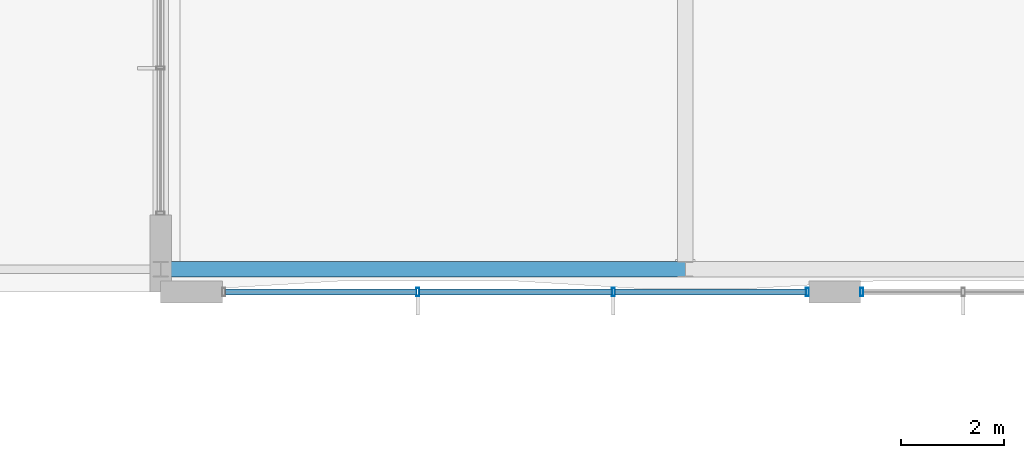
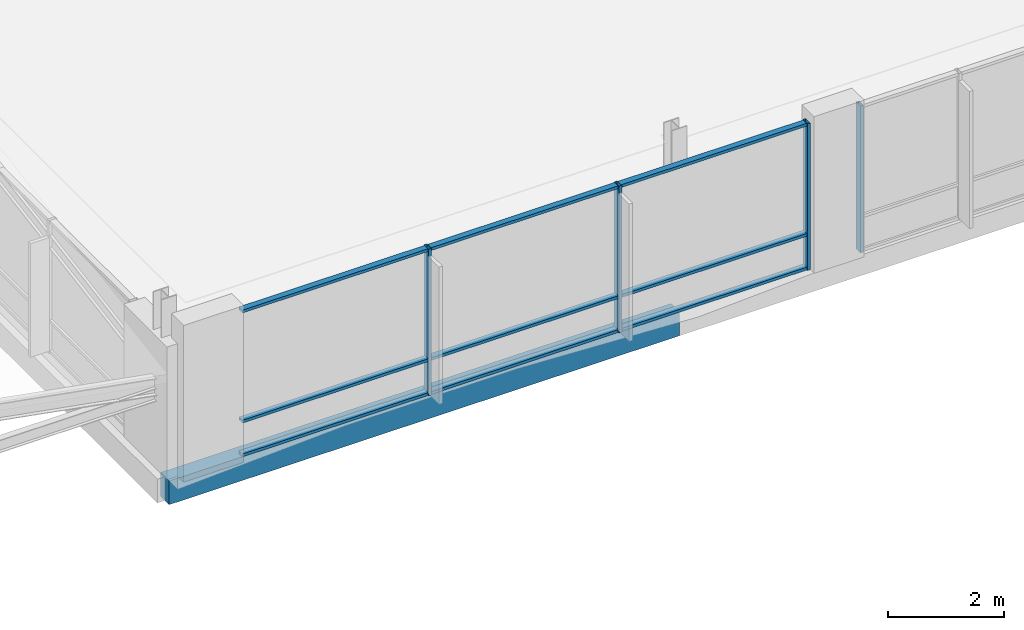
# One storey, part 52 of 189: 13 members, 1 beam, 2 elements without a shape of their own.
"""IFC4 building model written with IfcOpenShell, lengths in metres."""

import ifcopenshell
import ifcopenshell.guid

model = None  # the IFC model being written
_history = None  # IfcOwnerHistory: only IFC2X3 demands one
_inside = {}  # id of a spatial element -> (the spatial element, [elements in it])
_under = {}  # id of a project, library or spatial element -> (it, [spatial elements below it])
_declared = {}  # id of a project -> (the project, [libraries it declares])
_typed = {}  # id of a type object -> (the type object, [elements of that type])
_made_of = {}  # id of a material, layer set ... -> (it, [elements and type objects made of it])


def new_model(schema):
    """Start an empty IFC model of exactly this schema.

    Asked for "IFC4X3", IfcOpenShell would pick the latest addendum, in which some entities
    have other attributes; the version numbers below select the first issue.
    IFC2X3 requires an IfcOwnerHistory on every rooted entity: one is made here for all.
    """
    global model, _history
    if schema == "IFC4X3":
        model = ifcopenshell.file(schema_version=(4, 3, 0, 0))
    else:
        model = ifcopenshell.file(schema=schema)
    _inside.clear()
    _under.clear()
    _declared.clear()
    _typed.clear()
    _made_of.clear()
    _history = None
    if model.schema == "IFC2X3":
        org = make("IfcOrganization", Name="unknown")
        user = make(
            "IfcPersonAndOrganization",
            ThePerson=make("IfcPerson", FamilyName="unknown"),
            TheOrganization=org,
        )
        app = make(
            "IfcApplication",
            ApplicationDeveloper=org,
            Version="unknown",
            ApplicationFullName="unknown",
            ApplicationIdentifier="unknown",
        )
        _history = make(
            "IfcOwnerHistory",
            OwningUser=user,
            OwningApplication=app,
            ChangeAction="ADDED",
            CreationDate=0,
        )
    return model


def make(cls, **values):
    """One entity of the class cls with the attributes given. An attribute that is None is left unset."""
    return model.create_entity(
        cls, **{name: value for name, value in values.items() if value is not None}
    )


def rooted(cls, **values):
    """An entity with a GlobalId (a new one), such as an element, a storey or a relation."""
    return make(cls, GlobalId=ifcopenshell.guid.new(), OwnerHistory=_history, **values)


def si_unit(unit_type, name, prefix=None):
    """IfcSIUnit, for example si_unit("LENGTHUNIT", "METRE", prefix="MILLI")."""
    return make("IfcSIUnit", UnitType=unit_type, Prefix=prefix, Name=name)


def assignment(units):
    """IfcUnitAssignment: the units of a project."""
    return None if units is None else make("IfcUnitAssignment", Units=units)


def point(xyz):
    """IfcCartesianPoint."""
    return None if xyz is None else make("IfcCartesianPoint", Coordinates=xyz)


def direction(xyz):
    """IfcDirection."""
    return None if xyz is None else make("IfcDirection", DirectionRatios=xyz)


def frame(location, z_axis=None, x_axis=None):
    """IfcAxis2Placement3D, a coordinate frame: its origin and axes. An axis left out is left unset."""
    return make(
        "IfcAxis2Placement3D",
        Location=point(location),
        Axis=direction(z_axis),
        RefDirection=direction(x_axis),
    )


def frame_2d(location, x_axis=None):
    """IfcAxis2Placement2D, a coordinate frame in the plane: its origin and x axis."""
    return make(
        "IfcAxis2Placement2D", Location=point(location), RefDirection=direction(x_axis)
    )


def origin():
    """The frame at (0, 0, 0) with its axes left unset."""
    return frame((0.0, 0.0, 0.0))


def origin_2d():
    """The frame at (0, 0) in the plane with its x axis left unset."""
    return frame_2d((0.0, 0.0))


def place(relative_to, where):
    """IfcLocalPlacement: puts the frame where relative to a parent placement (None: the world)."""
    return make(
        "IfcLocalPlacement", PlacementRelTo=relative_to, RelativePlacement=where
    )


def context(
    kind, dimensions, precision=None, world=None, true_north=None, identifier=None
):
    """IfcGeometricRepresentationContext, for example the 3D "Model" context."""
    return make(
        "IfcGeometricRepresentationContext",
        ContextIdentifier=identifier,
        ContextType=kind,
        CoordinateSpaceDimension=dimensions,
        Precision=precision,
        WorldCoordinateSystem=world,
        TrueNorth=true_north,
    )


def subcontext(parent, identifier, kind, view, scale=None):
    """IfcGeometricRepresentationSubContext, for example "Body" below "Model"."""
    return make(
        "IfcGeometricRepresentationSubContext",
        ContextIdentifier=identifier,
        ContextType=kind,
        ParentContext=parent,
        TargetScale=scale,
        TargetView=view,
    )


def project(units=None, contexts=None):
    """IfcProject with its units and contexts."""
    return rooted(
        "IfcProject",
        Name="project",
        RepresentationContexts=contexts,
        UnitsInContext=assignment(units),
    )


def spatial(cls, under=None, at=None, **own):
    """A site, building, storey or space (cls), placed at a placement, below another one or the project."""
    s = rooted(cls, ObjectPlacement=at, **own)
    if under is not None:
        _under.setdefault(under.id(), (under, []))[1].append(s)
    return s


def profile(cls, at=None, kind="AREA", **sizes):
    """A parametric profile (cls). Its sizes go by their IFC names, for example OverallWidth=200.0."""
    return make(cls, ProfileType=kind, Position=at, **sizes)


def rectangle(**sizes):
    """IfcRectangleProfileDef."""
    return profile("IfcRectangleProfileDef", **sizes)


def hollow_rectangle(**sizes):
    """IfcRectangleHollowProfileDef."""
    return profile("IfcRectangleHollowProfileDef", **sizes)


def extrude(swept, where, along, depth):
    """IfcExtrudedAreaSolid: the profile swept, set in the frame where, extruded along a direction by depth."""
    return make(
        "IfcExtrudedAreaSolid",
        SweptArea=swept,
        Position=where,
        ExtrudedDirection=direction(along),
        Depth=depth,
    )


def shape(context_of_items, identifier, shape_type, items):
    """IfcShapeRepresentation: the items that make up one representation, for example the "Body"."""
    return make(
        "IfcShapeRepresentation",
        ContextOfItems=context_of_items,
        RepresentationIdentifier=identifier,
        RepresentationType=shape_type,
        Items=items,
    )


def material(Name=None, Category=None):
    """IfcMaterial."""
    return make("IfcMaterial", Name=Name, Category=Category)


def material_profile(
    of_material, cross_section, Name=None, Category=None, Priority=None
):
    """IfcMaterialProfile: a cross section and its material."""
    return make(
        "IfcMaterialProfile",
        Name=Name,
        Material=of_material,
        Profile=cross_section,
        Priority=Priority,
        Category=Category,
    )


def profile_set(profiles, Name=None, composite=None):
    """IfcMaterialProfileSet."""
    return make(
        "IfcMaterialProfileSet",
        Name=Name,
        MaterialProfiles=profiles,
        CompositeProfile=composite,
    )


def made_of(thing, what):
    """Note that an element or type object is made of a material, layer set ...; save() writes the relation."""
    if what is not None:
        _made_of.setdefault(what.id(), (what, []))[1].append(thing)
    return thing


def type_object(cls, material=None, **own):
    """A type object (cls), such as IfcWallType, which elements share."""
    return made_of(rooted(cls, **own), material)


def element(
    cls,
    number,
    at=None,
    inside=None,
    cuts=None,
    type_object=None,
    material=None,
    context=None,
    identifier="Body",
    shape_type=None,
    held_by="IfcProductDefinitionShape",
    body=None,
    shapes=None,
    **own,
):
    """One element of the class cls, such as IfcWall. Its Tag is "e" and its number.

    at: its placement. inside: the storey or other place that contains it. cuts: it is an
    opening in that element (IfcRelVoidsElement). A single representation is given by context,
    identifier, shape_type and body (its items); several are given by shapes. held_by: the class
    of the entity that holds the representations. save() writes the other relations.
    """
    e = rooted(cls, Tag="e%d" % number, ObjectPlacement=at, **own)
    if body is not None:
        shapes = [shape(context, identifier, shape_type, body)]
    if shapes is not None:
        e.Representation = make(held_by, Representations=shapes)
    if inside is not None:
        _inside.setdefault(inside.id(), (inside, []))[1].append(e)
    if cuts is not None:
        rooted(
            "IfcRelVoidsElement", RelatingBuildingElement=cuts, RelatedOpeningElement=e
        )
    if type_object is not None:
        _typed.setdefault(type_object.id(), (type_object, []))[1].append(e)
    return made_of(e, material)


def aggregate(whole, parts):
    """IfcRelAggregates: a whole, such as a stair, and the parts it consists of."""
    return rooted("IfcRelAggregates", RelatingObject=whole, RelatedObjects=parts)


def save(model, path):
    """Write the relations noted so far, then the file.

    IfcRelAggregates (storeys below a building ...), IfcRelContainedInSpatialStructure (elements
    in a storey), IfcRelDefinesByType, IfcRelAssociatesMaterial and IfcRelDeclares: one each for
    every whole, place, type object, material and project.
    """
    for whole, parts in _under.values():
        aggregate(whole, parts)
    for where, things in _inside.values():
        rooted(
            "IfcRelContainedInSpatialStructure",
            RelatedElements=things,
            RelatingStructure=where,
        )
    for kind, things in _typed.values():
        rooted("IfcRelDefinesByType", RelatedObjects=things, RelatingType=kind)
    for what, things in _made_of.values():
        rooted("IfcRelAssociatesMaterial", RelatedObjects=things, RelatingMaterial=what)
    for by, libraries in _declared.values():
        rooted("IfcRelDeclares", RelatingContext=by, RelatedDefinitions=libraries)
    model.write(path)


model = new_model("IFC4")

# Units and contexts
model_context = context("Model", 3, precision=1e-05, world=origin(), true_north=direction((0.0, 1.0)))
body_context = subcontext(model_context, "Body", "Model", "MODEL_VIEW")
ifc_project = project(units=[si_unit("LENGTHUNIT", "METRE"), si_unit("AREAUNIT", "SQUARE_METRE"), si_unit("VOLUMEUNIT", "CUBIC_METRE"), si_unit("PLANEANGLEUNIT", "RADIAN"), si_unit("MASSUNIT", "GRAM", prefix="KILO")], contexts=[model_context])

# Site, building, storey
site_placement = place(None, origin())
site = spatial("IfcSite", under=ifc_project, at=site_placement, CompositionType="ELEMENT")
building_placement = place(site_placement, origin())
building = spatial("IfcBuilding", under=site, at=building_placement, Name="Zavelmont Quarter", CompositionType="ELEMENT")
storey_placement = place(building_placement, frame((0.0, 0.0, 4.39990234375)))
storey = spatial("IfcBuildingStorey", under=building, at=storey_placement, Name="L01", CompositionType="ELEMENT", Elevation=4.39990234375)

# Beam
ifc_material_1 = material(Name="Concrete C35/45", Category="concrete")
ifc_material_profile_1 = material_profile(ifc_material_1, rectangle(XDim=0.300048828125, YDim=0.5, at=origin_2d()), Name="RC300X500")
ifc_profile_set_1 = profile_set([ifc_material_profile_1], Name="Concrete C35/45")
beam_type = type_object("IfcBeamType", Name="BM03", PredefinedType="BEAM", material=ifc_profile_set_1)
beam_placement = place(storey_placement, frame((92.0, 0.43994140625, -0.52978515625), z_axis=(1.0, 0.0, 0.0), x_axis=(0.0, 1.0, 0.0)))
element("IfcBeam", 1, at=beam_placement, inside=storey, type_object=beam_type, Name="L01 beam BM03 14/A to 16/A", PredefinedType="BEAM", context=body_context, shape_type="SweptSolid", body=[
    extrude(rectangle(XDim=0.300048828125, YDim=0.5, at=origin_2d()), origin(), (0.0, 0.0, 1.0), 10.199951171875),
])

# Curtain wall, members
ifc_material_2 = material(Name="Thermally broken aluminium and double low-E safety glazing", Category="aluminium")
curtain_wall_type_1 = type_object("IfcCurtainWallType", Name="CW-1140X310", PredefinedType="NOTDEFINED", material=ifc_material_2)
curtain_wall_1_placement = place(storey_placement, origin())
curtain_wall_1 = element("IfcCurtainWall", 2, at=curtain_wall_1_placement, inside=storey, type_object=curtain_wall_type_1, Name="L01 unitised curtain wall CW-1140X310", PredefinedType="NOTDEFINED")
ifc_material_3 = material(Name="Powder-coated aluminium EN AW-6063-T6", Category="aluminium")
ifc_material_profile_2 = material_profile(ifc_material_3, hollow_rectangle(XDim=0.06005859375, YDim=0.159912109375, WallThickness=0.00390625, at=origin_2d()), Name="CWM60X160")
ifc_profile_set_2 = profile_set([ifc_material_profile_2], Name="Powder-coated aluminium EN AW-6063-T6")
member_type_1 = type_object("IfcMemberType", Name="CWM01", PredefinedType="MULLION", material=ifc_profile_set_2)
member_1_placement = place(storey_placement, frame((97.0, 0.0, 0.0), z_axis=(0.0, 0.0, 1.0), x_axis=(1.0, 0.0, 0.0)))
member_1 = element("IfcMember", 3, at=member_1_placement, type_object=member_type_1, Name="CW-1140X310 mullion 2", PredefinedType="MULLION", context=body_context, shape_type="SweptSolid", body=[
    extrude(hollow_rectangle(XDim=0.06005859375, YDim=0.159912109375, WallThickness=0.00390625, at=origin_2d()), origin(), (0.0, 0.0, 1.0), 3.10009765625),
])
member_2_placement = place(storey_placement, frame((100.800048828125, 0.0, 0.0), z_axis=(0.0, 0.0, 1.0), x_axis=(1.0, 0.0, 0.0)))
member_2 = element("IfcMember", 4, at=member_2_placement, type_object=member_type_1, Name="CW-1140X310 mullion 3", PredefinedType="MULLION", context=body_context, shape_type="SweptSolid", body=[
    extrude(hollow_rectangle(XDim=0.06005859375, YDim=0.159912109375, WallThickness=0.00390625, at=origin_2d()), origin(), (0.0, 0.0, 1.0), 3.10009765625),
])
member_3_placement = place(storey_placement, frame((104.570068359375, 0.0, 0.0), z_axis=(0.0, 0.0, 1.0), x_axis=(1.0, 0.0, 0.0)))
member_3 = element("IfcMember", 5, at=member_3_placement, type_object=member_type_1, Name="CW-1140X310 mullion 4", PredefinedType="MULLION", context=body_context, shape_type="SweptSolid", body=[
    extrude(hollow_rectangle(XDim=0.06005859375, YDim=0.159912109375, WallThickness=0.00390625, at=origin_2d()), origin(), (0.0, 0.0, 1.0), 3.10009765625),
])

# Curtain wall, member
curtain_wall_type_2 = type_object("IfcCurtainWallType", Name="CW-600X310", PredefinedType="NOTDEFINED", material=ifc_material_2)
curtain_wall_2_placement = place(storey_placement, origin())
curtain_wall_2 = element("IfcCurtainWall", 6, at=curtain_wall_2_placement, inside=storey, type_object=curtain_wall_type_2, Name="L01 unitised curtain wall CW-600X310", PredefinedType="NOTDEFINED")
member_4_placement = place(storey_placement, frame((105.6298828125, 0.0, 0.0), z_axis=(0.0, 0.0, 1.0), x_axis=(1.0, 0.0, 0.0)))
member_4 = element("IfcMember", 7, at=member_4_placement, type_object=member_type_1, Name="CW-600X310 mullion 1", PredefinedType="MULLION", context=body_context, shape_type="SweptSolid", body=[
    extrude(hollow_rectangle(XDim=0.06005859375, YDim=0.159912109375, WallThickness=0.00390625, at=origin_2d()), origin(), (0.0, 0.0, 1.0), 3.10009765625),
])
aggregate(curtain_wall_2, [member_4])

# Member
ifc_material_profile_3 = material_profile(ifc_material_3, hollow_rectangle(XDim=0.1201171875, YDim=0.06005859375, WallThickness=0.00390625, at=origin_2d()), Name="CWT60X120")
ifc_profile_set_3 = profile_set([ifc_material_profile_3], Name="Powder-coated aluminium EN AW-6063-T6")
member_type_2 = type_object("IfcMemberType", Name="CWT01", PredefinedType="NOTDEFINED", material=ifc_profile_set_3)
member_5_placement = place(storey_placement, frame((93.260009765625, 0.0, 0.030029296875), z_axis=(1.0, 0.0, 0.0), x_axis=(0.0, 1.0, 0.0)))
member_5 = element("IfcMember", 8, at=member_5_placement, type_object=member_type_2, Name="CW-1140X310 transom 1.1", ObjectType="TRANSOM", PredefinedType="USERDEFINED", context=body_context, shape_type="SweptSolid", body=[
    extrude(hollow_rectangle(XDim=0.1201171875, YDim=0.06005859375, WallThickness=0.00390625, at=origin_2d()), origin(), (0.0, 0.0, 1.0), 3.7099609375),
])

member_6_placement = place(storey_placement, frame((93.260009765625, 0.0, 0.744140625), z_axis=(1.0, 0.0, 0.0), x_axis=(0.0, 1.0, 0.0)))
member_6 = element("IfcMember", 9, at=member_6_placement, type_object=member_type_2, Name="CW-1140X310 transom 1.2", ObjectType="TRANSOM", PredefinedType="USERDEFINED", context=body_context, shape_type="SweptSolid", body=[
    extrude(hollow_rectangle(XDim=0.1201171875, YDim=0.06005859375, WallThickness=0.00390625, at=origin_2d()), origin(), (0.0, 0.0, 1.0), 3.7099609375),
])

member_7_placement = place(storey_placement, frame((93.260009765625, 0.0, 3.070068359375), z_axis=(1.0, 0.0, 0.0), x_axis=(0.0, 1.0, 0.0)))
member_7 = element("IfcMember", 10, at=member_7_placement, type_object=member_type_2, Name="CW-1140X310 transom 1.3", ObjectType="TRANSOM", PredefinedType="USERDEFINED", context=body_context, shape_type="SweptSolid", body=[
    extrude(hollow_rectangle(XDim=0.1201171875, YDim=0.06005859375, WallThickness=0.00390625, at=origin_2d()), origin(), (0.0, 0.0, 1.0), 3.7099609375),
])

member_8_placement = place(storey_placement, frame((97.030029296875, 0.0, 0.030029296875), z_axis=(1.0, 0.0, 0.0), x_axis=(0.0, 1.0, 0.0)))
member_8 = element("IfcMember", 11, at=member_8_placement, type_object=member_type_2, Name="CW-1140X310 transom 2.1", ObjectType="TRANSOM", PredefinedType="USERDEFINED", context=body_context, shape_type="SweptSolid", body=[
    extrude(hollow_rectangle(XDim=0.1201171875, YDim=0.06005859375, WallThickness=0.00390625, at=origin_2d()), origin(), (0.0, 0.0, 1.0), 3.739990234375),
])

member_9_placement = place(storey_placement, frame((97.030029296875, 0.0, 0.744140625), z_axis=(1.0, 0.0, 0.0), x_axis=(0.0, 1.0, 0.0)))
member_9 = element("IfcMember", 12, at=member_9_placement, type_object=member_type_2, Name="CW-1140X310 transom 2.2", ObjectType="TRANSOM", PredefinedType="USERDEFINED", context=body_context, shape_type="SweptSolid", body=[
    extrude(hollow_rectangle(XDim=0.1201171875, YDim=0.06005859375, WallThickness=0.00390625, at=origin_2d()), origin(), (0.0, 0.0, 1.0), 3.739990234375),
])

member_10_placement = place(storey_placement, frame((97.030029296875, 0.0, 3.070068359375), z_axis=(1.0, 0.0, 0.0), x_axis=(0.0, 1.0, 0.0)))
member_10 = element("IfcMember", 13, at=member_10_placement, type_object=member_type_2, Name="CW-1140X310 transom 2.3", ObjectType="TRANSOM", PredefinedType="USERDEFINED", context=body_context, shape_type="SweptSolid", body=[
    extrude(hollow_rectangle(XDim=0.1201171875, YDim=0.06005859375, WallThickness=0.00390625, at=origin_2d()), origin(), (0.0, 0.0, 1.0), 3.739990234375),
])

member_11_placement = place(storey_placement, frame((100.830078125, 0.0, 0.030029296875), z_axis=(1.0, 0.0, 0.0), x_axis=(0.0, 1.0, 0.0)))
member_11 = element("IfcMember", 14, at=member_11_placement, type_object=member_type_2, Name="CW-1140X310 transom 3.1", ObjectType="TRANSOM", PredefinedType="USERDEFINED", context=body_context, shape_type="SweptSolid", body=[
    extrude(hollow_rectangle(XDim=0.1201171875, YDim=0.06005859375, WallThickness=0.00390625, at=origin_2d()), origin(), (0.0, 0.0, 1.0), 3.7099609375),
])

member_12_placement = place(storey_placement, frame((100.830078125, 0.0, 0.744140625), z_axis=(1.0, 0.0, 0.0), x_axis=(0.0, 1.0, 0.0)))
member_12 = element("IfcMember", 15, at=member_12_placement, type_object=member_type_2, Name="CW-1140X310 transom 3.2", ObjectType="TRANSOM", PredefinedType="USERDEFINED", context=body_context, shape_type="SweptSolid", body=[
    extrude(hollow_rectangle(XDim=0.1201171875, YDim=0.06005859375, WallThickness=0.00390625, at=origin_2d()), origin(), (0.0, 0.0, 1.0), 3.7099609375),
])

member_13_placement = place(storey_placement, frame((100.830078125, 0.0, 3.070068359375), z_axis=(1.0, 0.0, 0.0), x_axis=(0.0, 1.0, 0.0)))
member_13 = element("IfcMember", 16, at=member_13_placement, type_object=member_type_2, Name="CW-1140X310 transom 3.3", ObjectType="TRANSOM", PredefinedType="USERDEFINED", context=body_context, shape_type="SweptSolid", body=[
    extrude(hollow_rectangle(XDim=0.1201171875, YDim=0.06005859375, WallThickness=0.00390625, at=origin_2d()), origin(), (0.0, 0.0, 1.0), 3.7099609375),
])

aggregate(curtain_wall_1, [member_1, member_2, member_3, member_5, member_6, member_7, member_8, member_9, member_10, member_11, member_12, member_13])

save(model, "model.ifc")
